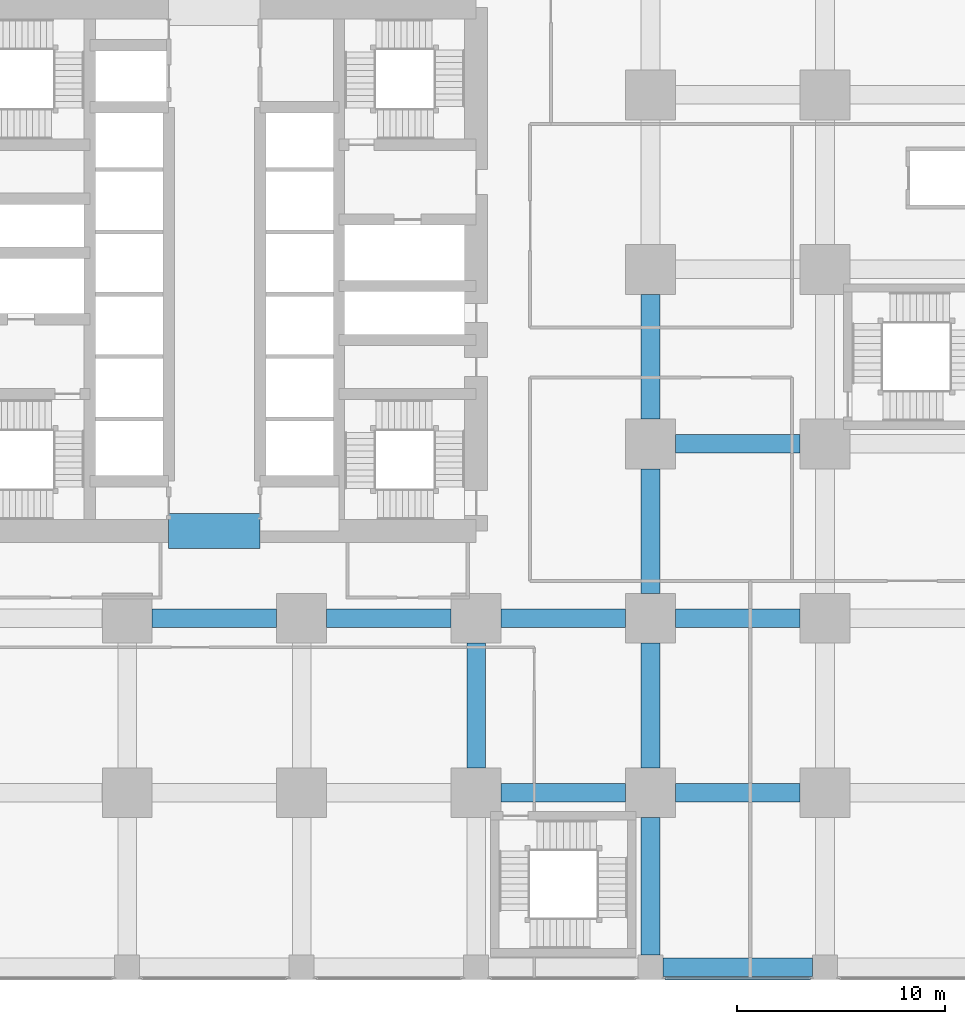
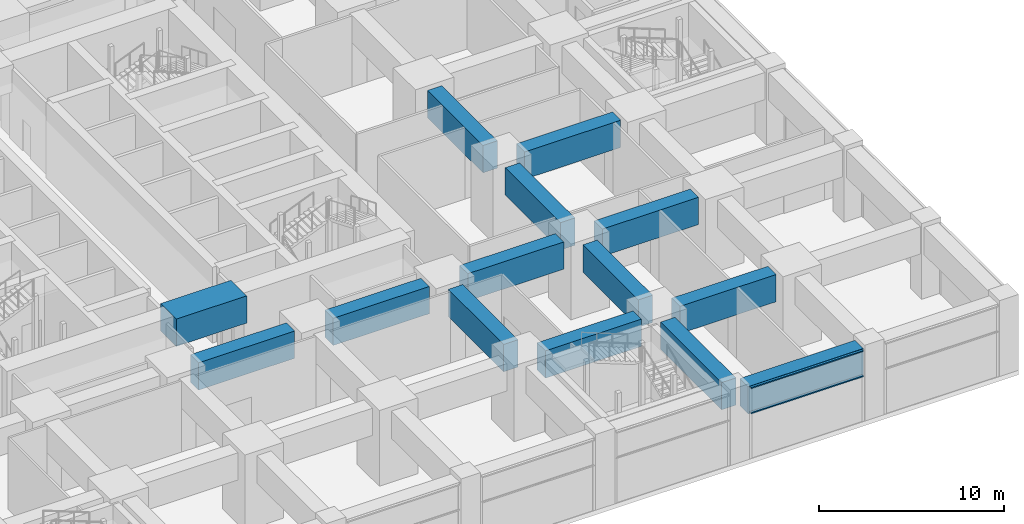
# One storey, part 16 of 49: 14 beams, 2 members, 1 element without a shape of its own.
"""IFC4 building model written with IfcOpenShell, lengths in metres."""

from ifc_helpers import new_model, si_unit, direction, frame, origin, origin_2d, place, context, subcontext, project, spatial, rectangle, hollow_rectangle, extrude, material, material_profile, profile_set, type_object, element, aggregate, save


model = new_model("IFC4")

# Units and contexts
model_context = context("Model", 3, precision=1e-05, world=origin(), true_north=direction((0.0, 1.0)))
body_context = subcontext(model_context, "Body", "Model", "MODEL_VIEW")
ifc_project = project(units=[si_unit("LENGTHUNIT", "METRE"), si_unit("AREAUNIT", "SQUARE_METRE"), si_unit("VOLUMEUNIT", "CUBIC_METRE"), si_unit("PLANEANGLEUNIT", "RADIAN"), si_unit("MASSUNIT", "GRAM", prefix="KILO")], contexts=[model_context])

# Site, building, storey
site_placement = place(None, origin())
site = spatial("IfcSite", under=ifc_project, at=site_placement, CompositionType="ELEMENT")
building_placement = place(site_placement, origin())
building = spatial("IfcBuilding", under=site, at=building_placement, Name="Rekha Terrace Tower", CompositionType="ELEMENT")
storey_placement = place(building_placement, frame((0.0, 0.0, 5.39990234375)))
storey = spatial("IfcBuildingStorey", under=building, at=storey_placement, Name="L01", CompositionType="ELEMENT", Elevation=5.39990234375)

# Curtain wall, members
ifc_material_1 = material(Name="Aluminium framing", Category="aluminium")
curtain_wall_type = type_object("IfcCurtainWallType", Name="CW4 podium shopfront glazing", PredefinedType="USERDEFINED", material=ifc_material_1)
curtain_wall_placement = place(storey_placement, origin())
curtain_wall = element("IfcCurtainWall", 1, at=curtain_wall_placement, inside=storey, type_object=curtain_wall_type, Name="CW4 shopfront curtain wall", ObjectType="SHOPFRONT CURTAIN WALL", PredefinedType="USERDEFINED")
ifc_material_2 = material(Name="Aluminium transom section", Category="aluminium")
ifc_material_profile_1 = material_profile(ifc_material_2, hollow_rectangle(XDim=0.14990234375, YDim=0.074951171875, WallThickness=0.0029296875, at=origin_2d()), Name="AL RHS 150x75")
ifc_profile_set_1 = profile_set([ifc_material_profile_1], Name="Aluminium transom section")
member_type = type_object("IfcMemberType", Name="CW4 transom RHS 75 x 150", PredefinedType="USERDEFINED", material=ifc_profile_set_1)
member_1_placement = place(storey_placement, frame((59.4951171875, -0.5400390625, 3.0), z_axis=(1.0, 0.0, 0.0), x_axis=(0.0, 1.0, 0.0)))
member_1 = element("IfcMember", 2, at=member_1_placement, type_object=member_type, Name="CW4 transom 1.2", ObjectType="TRANSOM", PredefinedType="USERDEFINED", context=body_context, shape_type="SweptSolid", body=[
    extrude(hollow_rectangle(XDim=0.14990234375, YDim=0.074951171875, WallThickness=0.0029296875, at=origin_2d()), origin(), (0.0, 0.0, 1.0), 7.009765625),
])
member_2_placement = place(storey_placement, frame((59.4951171875, -0.5400390625, 4.66259765625), z_axis=(1.0, 0.0, 0.0), x_axis=(0.0, 1.0, 0.0)))
member_2 = element("IfcMember", 3, at=member_2_placement, type_object=member_type, Name="CW4 transom 1.3", ObjectType="TRANSOM", PredefinedType="USERDEFINED", context=body_context, shape_type="SweptSolid", body=[
    extrude(hollow_rectangle(XDim=0.14990234375, YDim=0.074951171875, WallThickness=0.0029296875, at=origin_2d()), origin(), (0.0, 0.0, 1.0), 7.009765625),
])
aggregate(curtain_wall, [member_1, member_2])

# Beams
ifc_material_3 = material(Name="Concrete M60", Category="concrete")
ifc_material_profile_2 = material_profile(ifc_material_3, rectangle(XDim=0.89990234375, YDim=1.800048828125, at=origin_2d()), Name="RC 900x1800")
ifc_profile_set_2 = profile_set([ifc_material_profile_2], Name="Concrete M60")
beam_type_1 = type_object("IfcBeamType", Name="G1 900x1800 podium floor beam", PredefinedType="BEAM", material=ifc_profile_set_2)
for number, where, z_axis, x_axis, name in (
    (4, (34.800048828125, 16.800048828125, 3.800048828125), (1.0, 0.0, 0.0), (0.0, 1.0, 0.0), "Beam G1 5C-6C under L02"),
    (5, (43.199951171875, 16.800048828125, 3.800048828125), (1.0, 0.0, 0.0), (0.0, 1.0, 0.0), "Beam G1 6C-7C under L02"),
    (6, (51.60009765625, 8.39990234375, 3.800048828125), (1.0, 0.0, 0.0), (0.0, 1.0, 0.0), "Beam G1 7B-8B under L02"),
    (7, (50.39990234375, 9.60009765625, 3.800048828125), (0.0, 1.0, 0.0), (-1.0, 0.0, 0.0), "Beam G1 7B-7C under L02"),
    (8, (51.60009765625, 16.800048828125, 3.800048828125), (1.0, 0.0, 0.0), (0.0, 1.0, 0.0), "Beam G1 7C-8C under L02"),
):
    element("IfcBeam", number, at=place(storey_placement, frame(where, z_axis=z_axis, x_axis=x_axis)), inside=storey, type_object=beam_type_1, Name=name, PredefinedType="BEAM", context=body_context, shape_type="SweptSolid", body=[
        extrude(rectangle(XDim=0.89990234375, YDim=1.800048828125, at=origin_2d()), origin(), (0.0, 0.0, 1.0), 6.0),
    ])
beam_1_placement = place(storey_placement, frame((59.39990234375, 0.0, 3.800048828125), z_axis=(1.0, 0.0, 0.0), x_axis=(0.0, 1.0, 0.0)))
element("IfcBeam", 9, at=beam_1_placement, inside=storey, type_object=beam_type_1, Name="Beam G1 8A-9A under L02", PredefinedType="BEAM", context=body_context, shape_type="SweptSolid", body=[
    extrude(rectangle(XDim=0.89990234375, YDim=1.800048828125, at=origin_2d()), origin(), (0.0, 0.0, 1.0), 7.2001953125),
])
beam_2_placement = place(storey_placement, frame((58.800048828125, 0.60009765625, 3.800048828125), z_axis=(0.0, 1.0, 0.0), x_axis=(-1.0, 0.0, 0.0)))
element("IfcBeam", 10, at=beam_2_placement, inside=storey, type_object=beam_type_1, Name="Beam G1 8A-8B under L02", PredefinedType="BEAM", context=body_context, shape_type="SweptSolid", body=[
    extrude(rectangle(XDim=0.89990234375, YDim=1.800048828125, at=origin_2d()), origin(), (0.0, 0.0, 1.0), 6.599853515625),
])
for number, where, z_axis, x_axis, name in (
    (11, (60.0, 8.39990234375, 3.800048828125), (1.0, 0.0, 0.0), (0.0, 1.0, 0.0), "Beam G1 8B-9B under L02"),
    (12, (58.800048828125, 9.60009765625, 3.800048828125), (0.0, 1.0, 0.0), (-1.0, 0.0, 0.0), "Beam G1 8B-8C under L02"),
    (13, (60.0, 16.800048828125, 3.800048828125), (1.0, 0.0, 0.0), (0.0, 1.0, 0.0), "Beam G1 8C-9C under L02"),
    (14, (58.800048828125, 18.0, 3.800048828125), (0.0, 1.0, 0.0), (-1.0, 0.0, 0.0), "Beam G1 8C-8D under L02"),
    (15, (60.0, 25.199951171875, 3.800048828125), (1.0, 0.0, 0.0), (0.0, 1.0, 0.0), "Beam G1 8D-9D under L02"),
    (16, (58.800048828125, 26.39990234375, 3.800048828125), (0.0, 1.0, 0.0), (-1.0, 0.0, 0.0), "Beam G1 8D-8E under L02"),
):
    element("IfcBeam", number, at=place(storey_placement, frame(where, z_axis=z_axis, x_axis=x_axis)), inside=storey, type_object=beam_type_1, Name=name, PredefinedType="BEAM", context=body_context, shape_type="SweptSolid", body=[
        extrude(rectangle(XDim=0.89990234375, YDim=1.800048828125, at=origin_2d()), origin(), (0.0, 0.0, 1.0), 6.0),
    ])
ifc_material_4 = material(Name="Concrete M70", Category="concrete")
ifc_material_profile_3 = material_profile(ifc_material_4, rectangle(XDim=1.699951171875, YDim=1.800048828125, at=origin_2d()), Name="RC 1700x1800")
ifc_profile_set_3 = profile_set([ifc_material_profile_3], Name="Concrete M70")
beam_type_2 = type_object("IfcBeamType", Name="LB1B 1700x1800 diagonally reinforced coupling beam", PredefinedType="LINTEL", material=ifc_profile_set_3)
beam_3_placement = place(storey_placement, frame((35.60009765625, 21.0, 4.10009765625), z_axis=(1.0, 0.0, 0.0), x_axis=(0.0, 1.0, 0.0)))
element("IfcBeam", 17, at=beam_3_placement, inside=storey, type_object=beam_type_2, Name="Coupling beam LB1B S L01", PredefinedType="LINTEL", context=body_context, shape_type="SweptSolid", body=[
    extrude(rectangle(XDim=1.699951171875, YDim=1.800048828125, at=origin_2d()), origin(), (0.0, 0.0, 1.0), 4.39990234375),
])

save(model, "model.ifc")
